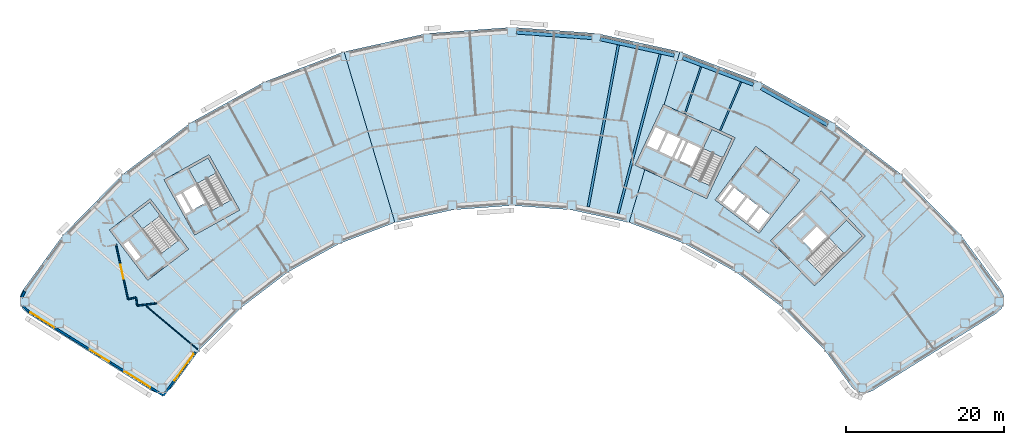
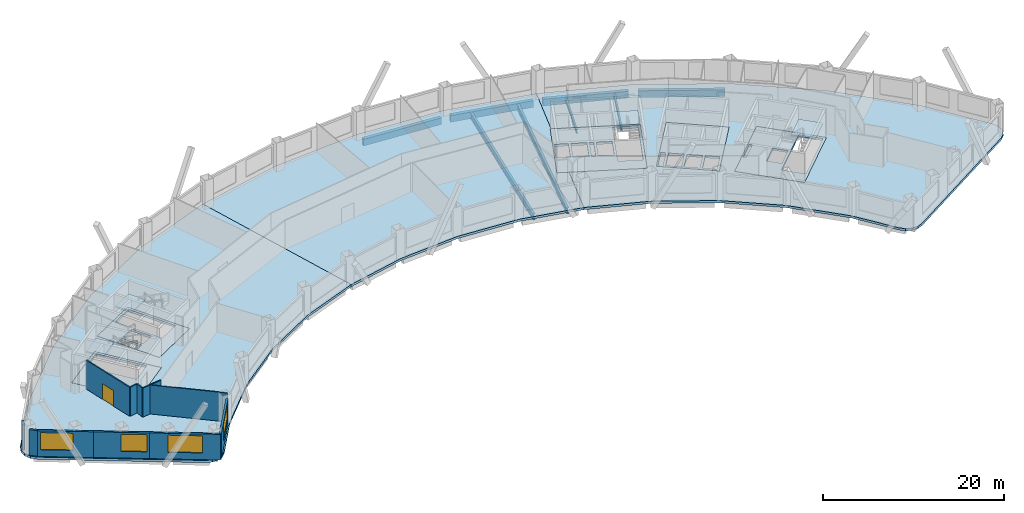
# One storey, part 2 of 11: 12 slabs, 11 walls, 8 beams, 4 windows, 1 door, 5 openings, 4 elements without a shape of their own.
"""IFC4 building model written with IfcOpenShell, lengths in metres."""

from ifc_helpers import new_model, si_unit, direction, frame, frame_2d, origin, origin_2d, place, context, subcontext, project, spatial, polyline, rectangle, hollow_rectangle, i_section, outline, extrude, material, layer, layer_set, material_profile, profile_set, type_object, element, fill, aggregate, save


model = new_model("IFC4")

# Units and contexts
model_context = context("Model", 3, precision=1e-05, world=origin(), true_north=direction((0.0, 1.0)))
body_context = subcontext(model_context, "Body", "Model", "MODEL_VIEW")
ifc_project = project(units=[si_unit("LENGTHUNIT", "METRE"), si_unit("AREAUNIT", "SQUARE_METRE"), si_unit("VOLUMEUNIT", "CUBIC_METRE"), si_unit("PLANEANGLEUNIT", "RADIAN"), si_unit("MASSUNIT", "GRAM", prefix="KILO")], contexts=[model_context])

# Site, building, storey
site_placement = place(None, origin())
site = spatial("IfcSite", under=ifc_project, at=site_placement, CompositionType="ELEMENT")
building_placement = place(site_placement, origin())
building = spatial("IfcBuilding", under=site, at=building_placement, Name="Tuul Gate Civic Tower", CompositionType="ELEMENT")
storey_placement = place(building_placement, frame((0.0, 0.0, 107.699951171875)))
storey = spatial("IfcBuildingStorey", under=building, at=storey_placement, Name="Level 24", CompositionType="ELEMENT", Elevation=107.699951171875)

# Beams
ifc_material_1 = material(Name="Steel S355", Category="steel")
ifc_material_profile_1 = material_profile(ifc_material_1, i_section(OverallWidth=0.199951171875, OverallDepth=0.5, WebThickness=0.010009765625, FlangeThickness=0.01611328125, at=origin_2d()), Name="PG500x200x10x16")
ifc_profile_set_1 = profile_set([ifc_material_profile_1], Name="Steel S355")
beam_type_1 = type_object("IfcBeamType", Name="STR-FLOOR BEAM-PG500x200x10x16", PredefinedType="BEAM", material=ifc_profile_set_1)
beam_1_placement = place(storey_placement, frame((36.169677734375, 1.197998046875, -0.550048828125), z_axis=(0.394200560457, 0.919024438269, 0.0), x_axis=(-0.919024438269, 0.394200560457, 0.0)))
element("IfcBeam", 1, at=beam_1_placement, inside=storey, type_object=beam_type_1, Name="Floor beam", PredefinedType="BEAM", context=body_context, shape_type="SweptSolid", body=[
    extrude(i_section(OverallWidth=0.199951171875, OverallDepth=0.5, WebThickness=0.010009765625, FlangeThickness=0.01611328125, at=origin_2d()), origin(), (0.0, 0.0, 1.0), 6.704345703125),
])
beam_2_placement = place(storey_placement, frame((31.6875, 3.2880859375, -0.550048828125), z_axis=(0.325502200931, 0.945541282647, 0.0), x_axis=(-0.945541282647, 0.325502200931, 0.0)))
element("IfcBeam", 2, at=beam_2_placement, inside=storey, type_object=beam_type_1, Name="Floor beam", PredefinedType="BEAM", context=body_context, shape_type="SweptSolid", body=[
    extrude(i_section(OverallWidth=0.199951171875, OverallDepth=0.5, WebThickness=0.010009765625, FlangeThickness=0.01611328125, at=origin_2d()), origin(), (0.0, 0.0, 1.0), 6.3310546875),
])
ifc_material_2 = material(Name="Steel S355", Category="steel")
ifc_material_profile_2 = material_profile(ifc_material_2, i_section(OverallWidth=0.300048828125, OverallDepth=0.800048828125, WebThickness=0.013916015625, FlangeThickness=0.02490234375, at=origin_2d()), Name="PG800x300x14x25")
ifc_profile_set_2 = profile_set([ifc_material_profile_2], Name="Steel S355")
beam_type_2 = type_object("IfcBeamType", Name="STR-FLOOR BEAM-PG800x300x14x25", PredefinedType="BEAM", material=ifc_profile_set_2)
beam_3_placement = place(storey_placement, frame((23.267578125, -9.2548828125, -0.699951171875), z_axis=(0.255007612054, 0.966939045542, 0.0), x_axis=(-0.966939045542, 0.255007612054, 0.0)))
element("IfcBeam", 3, at=beam_3_placement, inside=storey, type_object=beam_type_2, Name="Floor beam", PredefinedType="BEAM", context=body_context, shape_type="SweptSolid", body=[
    extrude(i_section(OverallWidth=0.300048828125, OverallDepth=0.800048828125, WebThickness=0.013916015625, FlangeThickness=0.02490234375, at=origin_2d()), origin(), (0.0, 0.0, 1.0), 20.8173828125),
])
beam_4_placement = place(storey_placement, frame((19.477294921875, -8.419677734375, -0.699951171875), z_axis=(0.183147342328, 0.98308547492, 0.0), x_axis=(-0.98308547492, 0.183147342328, 0.0)))
element("IfcBeam", 4, at=beam_4_placement, inside=storey, type_object=beam_type_2, Name="Floor beam", PredefinedType="BEAM", context=body_context, shape_type="SweptSolid", body=[
    extrude(i_section(OverallWidth=0.300048828125, OverallDepth=0.800048828125, WebThickness=0.013916015625, FlangeThickness=0.02490234375, at=origin_2d()), origin(), (0.0, 0.0, 1.0), 20.811279296875),
])
ifc_material_3 = material(Name="Steel S355", Category="steel")
ifc_material_profile_3 = material_profile(ifc_material_3, hollow_rectangle(XDim=0.449951171875, YDim=0.89990234375, WallThickness=0.02490234375, at=origin_2d()), Name="BOX900x450x25")
ifc_profile_set_3 = profile_set([ifc_material_profile_3], Name="Steel S355")
beam_type_3 = type_object("IfcBeamType", Name="STR-SPANDREL BEAM-BOX900x450x25", PredefinedType="BEAM", material=ifc_profile_set_3)
beam_5_placement = place(storey_placement, frame((49.75, 1.9306640625, -0.75), z_axis=(-0.874633056334, 0.484785536879, 0.0), x_axis=(-0.484785536879, -0.874633056334, 0.0)))
element("IfcBeam", 5, at=beam_5_placement, inside=storey, type_object=beam_type_3, Name="Spandrel beam", PredefinedType="BEAM", context=body_context, shape_type="SweptSolid", body=[
    extrude(hollow_rectangle(XDim=0.449951171875, YDim=0.89990234375, WallThickness=0.02490234375, at=origin_2d()), origin(), (0.0, 0.0, 1.0), 9.57666015625),
])
beam_6_placement = place(storey_placement, frame((40.378662109375, 7.034423828125, -0.75), z_axis=(-0.935356695064, 0.353705884879, 0.0), x_axis=(-0.353705884879, -0.935356695064, 0.0)))
element("IfcBeam", 6, at=beam_6_placement, inside=storey, type_object=beam_type_3, Name="Spandrel beam", PredefinedType="BEAM", context=body_context, shape_type="SweptSolid", body=[
    extrude(hollow_rectangle(XDim=0.449951171875, YDim=0.89990234375, WallThickness=0.02490234375, at=origin_2d()), origin(), (0.0, 0.0, 1.0), 9.578369140625),
])
beam_7_placement = place(storey_placement, frame((30.367919921875, 10.7353515625, -0.75), z_axis=(-0.976564052188, 0.215226977802, 0.0), x_axis=(-0.215226977802, -0.976564052188, 0.0)))
element("IfcBeam", 7, at=beam_7_placement, inside=storey, type_object=beam_type_3, Name="Spandrel beam", PredefinedType="BEAM", context=body_context, shape_type="SweptSolid", body=[
    extrude(hollow_rectangle(XDim=0.449951171875, YDim=0.89990234375, WallThickness=0.02490234375, at=origin_2d()), origin(), (0.0, 0.0, 1.0), 9.5771484375),
])
beam_8_placement = place(storey_placement, frame((19.929443359375, 12.954833984375, -0.75), z_axis=(-0.997390439125, 0.072196343002, 0.0), x_axis=(-0.072196343002, -0.997390439125, 0.0)))
element("IfcBeam", 8, at=beam_8_placement, inside=storey, type_object=beam_type_3, Name="Spandrel beam", PredefinedType="BEAM", context=body_context, shape_type="SweptSolid", body=[
    extrude(hollow_rectangle(XDim=0.449951171875, YDim=0.89990234375, WallThickness=0.02490234375, at=origin_2d()), origin(), (0.0, 0.0, 1.0), 9.57666015625),
])

# Slabs
ifc_material_4 = material(Name="Concrete C40/50", Category="concrete")
ifc_layer_1 = layer(ifc_material_4, 0.300048828125)
ifc_layer_set_1 = layer_set([ifc_layer_1], Name="Concrete C40/50")
slab_type_1 = type_object("IfcSlabType", Name="Core floor slab 300", PredefinedType="FLOOR", material=ifc_layer_set_1)
slab_1_placement = place(storey_placement, frame((0.0, 0.0, -0.300048828125)))
element("IfcSlab", 9, at=slab_1_placement, inside=storey, type_object=slab_type_1, Name="FLOOR SLAB", PredefinedType="FLOOR", context=body_context, shape_type="SweptSolid", body=[
    extrude(outline(polyline([(-31.10009765625, -13.7890625), (-35.946044921875, -7.423828125), (-41.11767578125, -11.361572265625), (-36.271484375, -17.726806640625), (-31.10009765625, -13.7890625)]), holes=[polyline([(-37.19287109375, -14.783203125), (-38.737548828125, -12.75439453125), (-39.45361328125, -13.299560546875), (-37.908935546875, -15.328369140625), (-37.19287109375, -14.783203125)]), polyline([(-32.33935546875, -12.65771484375), (-34.56591796875, -14.352783203125), (-38.229736328125, -9.54052734375), (-36.003173828125, -7.845458984375), (-32.33935546875, -12.65771484375)])]), origin(), (0.0, 0.0, 1.0), 0.300048828125),
])
slab_2_placement = place(storey_placement, frame((0.0, 0.0, -0.300048828125)))
element("IfcSlab", 10, at=slab_2_placement, inside=storey, type_object=slab_type_1, Name="FLOOR SLAB", PredefinedType="FLOOR", context=body_context, shape_type="SweptSolid", body=[
    extrude(outline(polyline([(-24.638916015625, -8.846923828125), (-28.51708984375, -1.849853515625), (-34.2021484375, -5.0009765625), (-30.32421875, -11.998046875), (-24.638916015625, -8.846923828125)]), holes=[polyline([(-29.0185546875, -7.958740234375), (-30.254638671875, -5.728515625), (-31.785400390625, -6.576904296875), (-30.54931640625, -8.80712890625), (-29.0185546875, -7.958740234375)]), polyline([(-30.8115234375, -8.95263671875), (-32.047607421875, -6.72216796875), (-32.8349609375, -7.158447265625), (-31.5986328125, -9.388916015625), (-30.8115234375, -8.95263671875)]), polyline([(-25.702392578125, -7.548828125), (-28.14990234375, -8.905517578125), (-31.08203125, -3.615234375), (-28.63427734375, -2.2587890625), (-25.702392578125, -7.548828125)])]), origin(), (0.0, 0.0, 1.0), 0.300048828125),
])
slab_3_placement = place(storey_placement, frame((0.0, 0.0, -0.300048828125)))
element("IfcSlab", 11, at=slab_3_placement, inside=storey, type_object=slab_type_1, Name="FLOOR SLAB", PredefinedType="FLOOR", context=body_context, shape_type="SweptSolid", body=[
    extrude(outline(polyline([(48.117919921875, -18.43310546875), (54.545166015625, -12.1328125), (48.945068359375, -6.419921875), (42.517822265625, -12.719970703125), (48.117919921875, -18.43310546875)]), holes=[polyline([(47.808837890625, -13.974853515625), (49.6298828125, -12.18994140625), (48.40478515625, -10.940185546875), (46.583984375, -12.72509765625), (47.808837890625, -13.974853515625)]), polyline([(44.93896484375, -11.046875), (46.760009765625, -9.261962890625), (46.514892578125, -9.011962890625), (44.69384765625, -10.797119140625), (44.93896484375, -11.046875)]), polyline([(49.086181640625, -17.062744140625), (47.12744140625, -15.064208984375), (52.160888671875, -10.130126953125), (54.11962890625, -12.128662109375), (49.086181640625, -17.062744140625)])]), origin(), (0.0, 0.0, 1.0), 0.300048828125),
])
slab_4_placement = place(storey_placement, frame((0.0, 0.0, -0.300048828125)))
element("IfcSlab", 12, at=slab_4_placement, inside=storey, type_object=slab_type_1, Name="FLOOR SLAB", PredefinedType="FLOOR", context=body_context, shape_type="SweptSolid", body=[
    extrude(outline(polyline([(34.465087890625, -7.385986328125), (38.056884765625, 0.31787109375), (28.993896484375, 4.543701171875), (25.40185546875, -3.159912109375), (34.465087890625, -7.385986328125)]), holes=[polyline([(32.60888671875, -3.32080078125), (33.6865234375, -1.009765625), (32.1005859375, -0.27001953125), (31.02294921875, -2.581298828125), (32.60888671875, -3.32080078125)]), polyline([(30.0712890625, -2.137451171875), (31.14892578125, 0.173583984375), (29.562744140625, 0.9130859375), (28.4853515625, -1.39794921875), (30.0712890625, -2.137451171875)]), polyline([(30.751220703125, -2.454345703125), (31.82861328125, -0.143310546875), (31.4208984375, 0.046875), (30.34326171875, -2.264404296875), (30.751220703125, -2.454345703125)]), polyline([(28.21337890625, -1.27099609375), (29.291015625, 1.0400390625), (27.8408203125, 1.71630859375), (26.76318359375, -0.594970703125), (28.21337890625, -1.27099609375)]), polyline([(34.889892578125, -5.7626953125), (32.353759765625, -4.580078125), (35.120849609375, 1.354736328125), (37.6572265625, 0.17236328125), (34.889892578125, -5.7626953125)])]), origin(), (0.0, 0.0, 1.0), 0.300048828125),
])
ifc_material_5 = material(Name="Concrete C40/50", Category="concrete")
ifc_layer_2 = layer(ifc_material_5, 0.300048828125)
ifc_layer_set_2 = layer_set([ifc_layer_2], Name="Concrete C40/50")
slab_type_2 = type_object("IfcSlabType", Name="Core floor slab 300 non-bearing", PredefinedType="FLOOR", material=ifc_layer_set_2)
slab_5_placement = place(storey_placement, frame((0.0, 0.0, -0.300048828125)))
element("IfcSlab", 13, at=slab_5_placement, inside=storey, type_object=slab_type_2, Name="FLOOR SLAB", PredefinedType="FLOOR", context=body_context, shape_type="SweptSolid", body=[
    extrude(outline(polyline([(41.10107421875, -11.797119140625), (46.25, -5.033935546875), (40.680908203125, -0.79296875), (35.531982421875, -7.555908203125), (41.10107421875, -11.797119140625)]), holes=[polyline([(41.044189453125, -11.37646484375), (42.497802734375, -9.467041015625), (41.22509765625, -8.49755859375), (39.77099609375, -10.4072265625), (41.044189453125, -11.37646484375)]), polyline([(39.532470703125, -10.225341796875), (40.986328125, -8.31591796875), (39.593994140625, -7.255615234375), (38.14013671875, -9.165283203125), (39.532470703125, -10.225341796875)]), polyline([(37.901611328125, -8.9833984375), (39.35546875, -7.073974609375), (37.963134765625, -6.013671875), (36.50927734375, -7.923095703125), (37.901611328125, -8.9833984375)]), polyline([(36.1796875, -7.860595703125), (37.724609375, -5.831787109375), (37.286865234375, -5.49853515625), (35.7421875, -7.527587890625), (36.1796875, -7.860595703125)])]), origin(), (0.0, 0.0, 1.0), 0.300048828125),
])

# Stair, slab
ifc_material_6 = material(Name="Concrete C40/50", Category="concrete")
stair_type = type_object("IfcStairType", Name="Exit stair", PredefinedType="HALF_TURN_STAIR", material=ifc_material_6)
stair_1_placement = place(storey_placement, origin())
stair_1 = element("IfcStair", 14, at=stair_1_placement, inside=storey, type_object=stair_type, Name="Level 24 ST-1", PredefinedType="HALF_TURN_STAIR")
ifc_material_7 = material(Name="Concrete C40/50", Category="concrete")
ifc_layer_3 = layer(ifc_material_7, 0.199951171875)
ifc_layer_set_3 = layer_set([ifc_layer_3], Name="Concrete C40/50")
slab_type_3 = type_object("IfcSlabType", Name="Exit stair landing", PredefinedType="LANDING", material=ifc_layer_set_3)
slab_6_placement = place(storey_placement, frame((0.0, 0.0, 1.900146484375)))
slab_6 = element("IfcSlab", 15, at=slab_6_placement, type_object=slab_type_3, Name="ST-1 landing 1", PredefinedType="LANDING", context=body_context, shape_type="SweptSolid", body=[
    extrude(outline(polyline([(-34.699462890625, -9.554931640625), (-36.9287109375, -11.252197265625), (-38.23193359375, -9.540283203125), (-36.0029296875, -7.843017578125), (-34.699462890625, -9.554931640625)])), origin(), (0.0, 0.0, 1.0), 0.199951171875),
])
aggregate(stair_1, [slab_6])

stair_2_placement = place(storey_placement, origin())
stair_2 = element("IfcStair", 16, at=stair_2_placement, inside=storey, type_object=stair_type, Name="Level 24 ST-2", PredefinedType="HALF_TURN_STAIR")
slab_7_placement = place(storey_placement, frame((0.0, 0.0, 1.900146484375)))
slab_7 = element("IfcSlab", 17, at=slab_7_placement, type_object=slab_type_3, Name="ST-2 landing 1", PredefinedType="LANDING", context=body_context, shape_type="SweptSolid", body=[
    extrude(outline(polyline([(-27.5908203125, -4.138427734375), (-30.041015625, -5.49658203125), (-31.084228515625, -3.61474609375), (-28.6337890625, -2.256591796875), (-27.5908203125, -4.138427734375)])), origin(), (0.0, 0.0, 1.0), 0.199951171875),
])
aggregate(stair_2, [slab_7])

stair_3_placement = place(storey_placement, origin())
stair_3 = element("IfcStair", 18, at=stair_3_placement, inside=storey, type_object=stair_type, Name="Level 24 ST-3", PredefinedType="HALF_TURN_STAIR")
slab_8_placement = place(storey_placement, frame((0.0, 0.0, 1.900146484375)))
slab_8 = element("IfcSlab", 19, at=slab_8_placement, type_object=slab_type_3, Name="ST-3 landing 1", PredefinedType="LANDING", context=body_context, shape_type="SweptSolid", body=[
    extrude(outline(polyline([(51.871337890625, -14.3349609375), (49.91015625, -12.334228515625), (52.160888671875, -10.1279296875), (54.1220703125, -12.128662109375), (51.871337890625, -14.3349609375)])), origin(), (0.0, 0.0, 1.0), 0.199951171875),
])
aggregate(stair_3, [slab_8])

stair_4_placement = place(storey_placement, origin())
stair_4 = element("IfcStair", 20, at=stair_4_placement, inside=storey, type_object=stair_type, Name="Level 24 ST-4", PredefinedType="HALF_TURN_STAIR")
slab_9_placement = place(storey_placement, frame((0.0, 0.0, 1.900146484375)))
slab_9 = element("IfcSlab", 21, at=slab_9_placement, type_object=slab_type_3, Name="ST-4 landing 1", PredefinedType="LANDING", context=body_context, shape_type="SweptSolid", body=[
    extrude(outline(polyline([(36.538818359375, -2.230224609375), (33.999755859375, -1.046142578125), (35.1201171875, 1.35693359375), (37.659423828125, 0.173095703125), (36.538818359375, -2.230224609375)])), origin(), (0.0, 0.0, 1.0), 0.199951171875),
])
aggregate(stair_4, [slab_9])

# Slabs
ifc_material_8 = material(Name="Concrete C35/45", Category="concrete")
ifc_layer_4 = layer(ifc_material_8, 0.300048828125)
ifc_layer_set_4 = layer_set([ifc_layer_4], Name="Concrete C35/45")
slab_type_4 = type_object("IfcSlabType", Name="STR-FLOOR-SLAB-300", PredefinedType="FLOOR", material=ifc_layer_set_4)
slab_10_placement = place(storey_placement, frame((0.0, 0.0, -0.300048828125)))
element("IfcSlab", 22, at=slab_10_placement, inside=storey, type_object=slab_type_4, Name="Level 24/slab/W", PredefinedType="FLOOR", context=body_context, shape_type="SweptSolid", body=[
    extrude(outline(polyline([(-12.0048828125, -13.0830078125), (-4.985107421875, -10.427978515625), (-11.4189453125, 11.194091796875), (-21.488037109375, 7.385986328125), (-30.902099609375, 2.1669921875), (-39.467041015625, -4.35302734375), (-47.001953125, -12.0400390625), (-52.0830078125, -18.9970703125), (-52.4189453125, -19.739990234375), (-52.430908203125, -20.555908203125), (-52.116943359375, -21.30810546875), (-51.527099609375, -21.8720703125), (-35.797119140625, -31.701904296875), (-35.10302734375, -31.971923828125), (-34.35791015625, -31.968994140625), (-33.666015625, -31.694091796875), (-33.1220703125, -31.18505859375), (-29.79296875, -26.626953125), (-24.5400390625, -21.26806640625), (-18.569091796875, -16.720947265625), (-12.0048828125, -13.0830078125)]), holes=[polyline([(-31.10009765625, -13.7890625), (-36.27197265625, -17.72705078125), (-41.117919921875, -11.362060546875), (-35.946044921875, -7.424072265625), (-31.10009765625, -13.7890625)]), polyline([(-24.638916015625, -8.846923828125), (-30.323974609375, -11.998046875), (-34.201904296875, -5.0009765625), (-28.51708984375, -1.85009765625), (-24.638916015625, -8.846923828125)])]), origin(), (0.0, 0.0, 1.0), 0.300048828125),
])
slab_11_placement = place(storey_placement, frame((0.0, 0.0, -0.300048828125)))
element("IfcSlab", 23, at=slab_11_placement, inside=storey, type_object=slab_type_4, Name="Level 24/slab/M", PredefinedType="FLOOR", context=body_context, shape_type="SweptSolid", body=[
    extrude(outline(polyline([(24.64306640625, -10.427978515625), (26.635009765625, -3.735107421875), (25.402099609375, -3.159912109375), (28.993896484375, 4.5439453125), (29.0859375, 4.5009765625), (31.076904296875, 11.194091796875), (20.56494140625, 13.510009765625), (9.8291015625, 14.2880859375), (-0.906982421875, 13.510009765625), (-11.4189453125, 11.194091796875), (-4.985107421875, -10.427978515625), (2.343994140625, -8.81298828125), (9.8291015625, -8.27099609375), (17.31396484375, -8.81298828125), (24.64306640625, -10.427978515625)])), origin(), (0.0, 0.0, 1.0), 0.300048828125),
])
slab_12_placement = place(storey_placement, frame((0.0, 0.0, -0.300048828125)))
element("IfcSlab", 24, at=slab_12_placement, inside=storey, type_object=slab_type_4, Name="Level 24/slab/E", PredefinedType="FLOOR", context=body_context, shape_type="SweptSolid", body=[
    extrude(outline(polyline([(54.760986328125, -31.971923828125), (55.455078125, -31.701904296875), (71.18505859375, -21.8720703125), (71.77392578125, -21.30810546875), (72.089111328125, -20.555908203125), (72.076904296875, -19.739990234375), (71.739990234375, -18.9970703125), (66.659912109375, -12.0400390625), (59.1240234375, -4.35302734375), (50.56005859375, 2.1669921875), (41.14501953125, 7.385986328125), (31.076904296875, 11.194091796875), (29.0859375, 4.5009765625), (38.056884765625, 0.318115234375), (34.465087890625, -7.385986328125), (26.635009765625, -3.735107421875), (24.64306640625, -10.427978515625), (31.6630859375, -13.0830078125), (38.22607421875, -16.720947265625), (44.197021484375, -21.26806640625), (49.450927734375, -26.626953125), (52.780029296875, -31.18505859375), (53.323974609375, -31.694091796875), (54.01611328125, -31.968994140625), (54.760986328125, -31.971923828125)]), holes=[polyline([(48.117919921875, -18.43310546875), (42.51806640625, -12.719970703125), (48.945068359375, -6.419921875), (54.544921875, -12.133056640625), (48.117919921875, -18.43310546875)]), polyline([(35.531982421875, -7.555908203125), (40.680908203125, -0.79296875), (46.25, -5.033935546875), (41.10107421875, -11.797119140625), (35.531982421875, -7.555908203125)])]), origin(), (0.0, 0.0, 1.0), 0.300048828125),
])

# Wall, opening, door
ifc_material_9 = material(Name="Gypsum board partition")
ifc_layer_5 = layer(ifc_material_9, 0.14990234375)
ifc_layer_set_5 = layer_set([ifc_layer_5], Name="Gypsum board partition")
wall_type_1 = type_object("IfcWallType", Name="Corridor wall P150", PredefinedType="PARTITIONING", material=ifc_layer_set_5)
wall_1_placement = place(storey_placement, frame((-40.279052734375, -13.201416015625, 0.0), z_axis=(0.0, 0.0, 1.0), x_axis=(0.214701443926, -0.976679727432, 0.0)))
wall_1 = element("IfcWall", 25, at=wall_1_placement, inside=storey, type_object=wall_type_1, Name="p044", PredefinedType="PARTITIONING", context=body_context, shape_type="SweptSolid", body=[
    extrude(rectangle(XDim=7.087646484375, YDim=0.14990234375, at=frame_2d((3.5439453125, 0.0))), origin(), (0.0, 0.0, 1.0), 3.900146484375),
])
opening_1_placement = place(wall_1_placement, frame((2.643798828125, 0.0, 0.0)))
opening_1 = element("IfcOpeningElement", 26, at=opening_1_placement, cuts=wall_1, Name="Opening H-D10", PredefinedType="OPENING", context=body_context, shape_type="SweptSolid", body=[
    extrude(rectangle(XDim=1.800048828125, YDim=2.10009765625, at=frame_2d((0.89990234375, 1.050048828125))), frame((0.0, 0.0849609375, 0.0), z_axis=(0.0, -1.0, 0.0), x_axis=(1.0, 0.0, 0.0)), (0.0, 0.0, 1.0), 0.169921875),
])
ifc_material_10 = material(Name="Timber door leaf, double", Category="wood")
door_type = type_object("IfcDoorType", Name="Door D18", OperationType="DOUBLE_DOOR_SINGLE_SWING", PredefinedType="DOOR", material=ifc_material_10)
door_placement = place(opening_1_placement, frame((1.800048828125, 0.0, 0.0), z_axis=(0.0, 0.0, 1.0), x_axis=(-1.0, 0.0, 0.0)))
door = element("IfcDoor", 27, at=door_placement, inside=storey, type_object=door_type, Name="Door H-D10", OperationType="DOUBLE_DOOR_SINGLE_SWING", OverallHeight=2.10009765625, OverallWidth=1.800048828125, PredefinedType="DOOR", context=body_context, shape_type="SweptSolid", body=[
    extrude(rectangle(XDim=1.800048828125, YDim=2.10009765625, at=frame_2d((0.900146484375, 1.050048828125))), frame((0.0, 0.02490234375, 0.0), z_axis=(0.0, -1.0, 0.0), x_axis=(1.0, 0.0, 0.0)), (0.0, 0.0, 1.0), 0.050048828125),
])
fill(opening_1, door)

# Walls
wall_2_placement = place(storey_placement, frame((-38.757080078125, -20.123779296875, 0.0), z_axis=(0.0, 0.0, 1.0), x_axis=(0.976654438629, 0.214816450735, 0.0)))
element("IfcWall", 28, at=wall_2_placement, inside=storey, type_object=wall_type_1, Name="p051", PredefinedType="PARTITIONING", context=body_context, shape_type="SweptSolid", body=[
    extrude(rectangle(XDim=1.02734375, YDim=0.14990234375, at=frame_2d((0.513671875, 0.0))), origin(), (0.0, 0.0, 1.0), 3.900146484375),
])
wall_3_placement = place(storey_placement, frame((-37.72900390625, -19.920654296875, 0.0), z_axis=(0.0, 0.0, 1.0), x_axis=(0.121168571495, -0.99263194452, 0.0)))
element("IfcWall", 29, at=wall_3_placement, inside=storey, type_object=wall_type_1, Name="p052", PredefinedType="PARTITIONING", context=body_context, shape_type="SweptSolid", body=[
    extrude(rectangle(XDim=1.027587890625, YDim=0.14990234375, at=frame_2d((0.513671875, 0.0))), origin(), (0.0, 0.0, 1.0), 3.900146484375),
])
wall_4_placement = place(storey_placement, frame((-37.6044921875, -20.940673828125, 0.0), z_axis=(0.0, 0.0, 1.0), x_axis=(0.992643003918, 0.121077936774, 0.0)))
element("IfcWall", 30, at=wall_4_placement, inside=storey, type_object=wall_type_1, Name="p053", PredefinedType="PARTITIONING", context=body_context, shape_type="SweptSolid", body=[
    extrude(rectangle(XDim=2.490234375, YDim=0.14990234375, at=frame_2d((1.2451171875, 0.0))), origin(), (0.0, 0.0, 1.0), 3.900146484375),
])
ifc_material_11 = material(Name="Precast concrete C40/50", Category="concrete")
ifc_layer_6 = layer(ifc_material_11, 0.25)
ifc_layer_set_6 = layer_set([ifc_layer_6], Name="Precast concrete C40/50")
wall_type_2 = type_object("IfcWallType", Name="External wall", PredefinedType="STANDARD", material=ifc_layer_set_6)
wall_5_placement = place(storey_placement, frame((-51.84814453125, -19.136474609375, 0.0), z_axis=(0.0, 0.0, 1.0), x_axis=(-0.411894351911, -0.911231607696, 0.0)))
element("IfcWall", 31, at=wall_5_placement, inside=storey, type_object=wall_type_2, Name="External wall", PredefinedType="STANDARD", context=body_context, shape_type="SweptSolid", body=[
    extrude(rectangle(XDim=0.829345703125, YDim=0.25, at=frame_2d((0.41455078125, 0.0))), origin(), (0.0, 0.0, 1.0), 3.449951171875),
])
wall_6_placement = place(storey_placement, frame((-52.053466796875, -20.991943359375, 0.0), z_axis=(0.0, 0.0, 1.0), x_axis=(0.722104872767, -0.691783602527, 0.0)))
element("IfcWall", 32, at=wall_6_placement, inside=storey, type_object=wall_type_2, Name="External wall", PredefinedType="STANDARD", context=body_context, shape_type="SweptSolid", body=[
    extrude(rectangle(XDim=0.958251953125, YDim=0.25, at=frame_2d((0.47900390625, 0.0))), origin(), (0.0, 0.0, 1.0), 3.449951171875),
])

# Wall, opening, window
wall_7_placement = place(storey_placement, frame((-51.3818359375, -21.638916015625, 0.0), z_axis=(0.0, 0.0, 1.0), x_axis=(0.848053758074, -0.529910203164, 0.0)))
wall_7 = element("IfcWall", 33, at=wall_7_placement, inside=storey, type_object=wall_type_2, Name="External wall", PredefinedType="STANDARD", context=body_context, shape_type="SweptSolid", body=[
    extrude(rectangle(XDim=6.182861328125, YDim=0.25, at=frame_2d((3.09130859375, 0.0))), origin(), (0.0, 0.0, 1.0), 3.449951171875),
])
opening_2_placement = place(wall_7_placement, frame((0.322998046875, 0.0, 0.89990234375)))
opening_2 = element("IfcOpeningElement", 34, at=opening_2_placement, cuts=wall_7, Name="Opening W112", PredefinedType="OPENING", context=body_context, shape_type="SweptSolid", body=[
    extrude(rectangle(XDim=3.550048828125, YDim=2.300048828125, at=frame_2d((1.77490234375, 1.14990234375))), frame((0.0, 0.135009765625, 0.0), z_axis=(0.0, -1.0, 0.0), x_axis=(1.0, 0.0, 0.0)), (0.0, 0.0, 1.0), 0.27001953125),
])
ifc_material_12 = material(Name="Glass", Category="glass")
window_type_1 = type_object("IfcWindowType", Name="Window W112 3550 x 2300", PartitioningType="SINGLE_PANEL", PredefinedType="WINDOW", material=ifc_material_12)
window_1_placement = place(opening_2_placement, origin())
window_1 = element("IfcWindow", 35, at=window_1_placement, inside=storey, type_object=window_type_1, Name="Window", OverallHeight=2.300048828125, OverallWidth=3.550048828125, PartitioningType="SINGLE_PANEL", PredefinedType="WINDOW", context=body_context, shape_type="SweptSolid", body=[
    extrude(rectangle(XDim=3.550048828125, YDim=2.300048828125, at=frame_2d((1.77490234375, 1.14990234375))), frame((0.0, 0.030029296875, 0.0), z_axis=(0.0, -1.0, 0.0), x_axis=(1.0, 0.0, 0.0)), (0.0, 0.0, 1.0), 0.06005859375),
])
fill(opening_2, window_1)

wall_8_placement = place(storey_placement, frame((-46.138427734375, -24.915283203125, 0.0), z_axis=(0.0, 0.0, 1.0), x_axis=(0.848053758074, -0.529910203164, 0.0)))
wall_8 = element("IfcWall", 36, at=wall_8_placement, inside=storey, type_object=wall_type_2, Name="External wall", PredefinedType="STANDARD", context=body_context, shape_type="SweptSolid", body=[
    extrude(rectangle(XDim=6.182861328125, YDim=0.25, at=frame_2d((3.09130859375, 0.0))), origin(), (0.0, 0.0, 1.0), 3.449951171875),
])
opening_3_placement = place(wall_8_placement, frame((3.006103515625, 0.0, 0.89990234375)))
opening_3 = element("IfcOpeningElement", 37, at=opening_3_placement, cuts=wall_8, Name="Opening W68", PredefinedType="OPENING", context=body_context, shape_type="SweptSolid", body=[
    extrude(rectangle(XDim=2.85009765625, YDim=2.300048828125, at=frame_2d((1.425048828125, 1.14990234375))), frame((0.0, 0.135009765625, 0.0), z_axis=(0.0, -1.0, 0.0), x_axis=(1.0, 0.0, 0.0)), (0.0, 0.0, 1.0), 0.27001953125),
])
ifc_material_13 = material(Name="Glass", Category="glass")
window_type_2 = type_object("IfcWindowType", Name="Window 2850 x 2300", PartitioningType="SINGLE_PANEL", PredefinedType="WINDOW", material=ifc_material_13)
window_2_placement = place(opening_3_placement, origin())
window_2 = element("IfcWindow", 38, at=window_2_placement, inside=storey, type_object=window_type_2, Name="Window", OverallHeight=2.300048828125, OverallWidth=2.85009765625, PartitioningType="SINGLE_PANEL", PredefinedType="WINDOW", context=body_context, shape_type="SweptSolid", body=[
    extrude(rectangle(XDim=2.85009765625, YDim=2.300048828125, at=frame_2d((1.425048828125, 1.14990234375))), frame((0.0, 0.030029296875, 0.0), z_axis=(0.0, -1.0, 0.0), x_axis=(1.0, 0.0, 0.0)), (0.0, 0.0, 1.0), 0.06005859375),
])
fill(opening_3, window_2)

wall_9_placement = place(storey_placement, frame((-40.89501953125, -28.191650390625, 0.0), z_axis=(0.0, 0.0, 1.0), x_axis=(0.848044094411, -0.529925668311, 0.0)))
wall_9 = element("IfcWall", 39, at=wall_9_placement, inside=storey, type_object=wall_type_2, Name="External wall", PredefinedType="STANDARD", context=body_context, shape_type="SweptSolid", body=[
    extrude(rectangle(XDim=7.787353515625, YDim=0.25, at=frame_2d((3.8935546875, 0.0))), origin(), (0.0, 0.0, 1.0), 3.449951171875),
])
opening_4_placement = place(wall_9_placement, frame((1.9951171875, 0.0, 0.89990234375)))
opening_4 = element("IfcOpeningElement", 40, at=opening_4_placement, cuts=wall_9, Name="Opening W22", PredefinedType="OPENING", context=body_context, shape_type="SweptSolid", body=[
    extrude(rectangle(XDim=3.85009765625, YDim=2.300048828125, at=frame_2d((1.925048828125, 1.14990234375))), frame((0.0, 0.135009765625, 0.0), z_axis=(0.0, -1.0, 0.0), x_axis=(1.0, 0.0, 0.0)), (0.0, 0.0, 1.0), 0.27001953125),
])
ifc_material_14 = material(Name="Glass", Category="glass")
window_type_3 = type_object("IfcWindowType", Name="Window W22 3850 x 2300", PartitioningType="SINGLE_PANEL", PredefinedType="WINDOW", material=ifc_material_14)
window_3_placement = place(opening_4_placement, origin())
window_3 = element("IfcWindow", 41, at=window_3_placement, inside=storey, type_object=window_type_3, Name="Window", OverallHeight=2.300048828125, OverallWidth=3.85009765625, PartitioningType="SINGLE_PANEL", PredefinedType="WINDOW", context=body_context, shape_type="SweptSolid", body=[
    extrude(rectangle(XDim=3.85009765625, YDim=2.300048828125, at=frame_2d((1.925048828125, 1.14990234375))), frame((0.0, 0.030029296875, 0.0), z_axis=(0.0, -1.0, 0.0), x_axis=(1.0, 0.0, 0.0)), (0.0, 0.0, 1.0), 0.06005859375),
])
fill(opening_4, window_3)

wall_10_placement = place(storey_placement, frame((-34.291015625, -32.318359375, 0.0), z_axis=(0.0, 0.0, 1.0), x_axis=(0.589868212008, 0.807499530936, 0.0)))
wall_10 = element("IfcWall", 42, at=wall_10_placement, inside=storey, type_object=wall_type_2, Name="External wall", PredefinedType="STANDARD", context=body_context, shape_type="SweptSolid", body=[
    extrude(rectangle(XDim=6.8486328125, YDim=0.25, at=frame_2d((3.42431640625, 0.0))), origin(), (0.0, 0.0, 1.0), 3.449951171875),
])
opening_5_placement = place(wall_10_placement, frame((2.356689453125, 0.0, 0.89990234375)))
opening_5 = element("IfcOpeningElement", 43, at=opening_5_placement, cuts=wall_10, Name="Opening W25", PredefinedType="OPENING", context=body_context, shape_type="SweptSolid", body=[
    extrude(rectangle(XDim=4.14990234375, YDim=2.300048828125, at=frame_2d((2.074951171875, 1.14990234375))), frame((0.0, 0.135009765625, 0.0), z_axis=(0.0, -1.0, 0.0), x_axis=(1.0, 0.0, 0.0)), (0.0, 0.0, 1.0), 0.27001953125),
])
ifc_material_15 = material(Name="Glass", Category="glass")
window_type_4 = type_object("IfcWindowType", Name="Window W25 4150 x 2300", PartitioningType="SINGLE_PANEL", PredefinedType="WINDOW", material=ifc_material_15)
window_4_placement = place(opening_5_placement, origin())
window_4 = element("IfcWindow", 44, at=window_4_placement, inside=storey, type_object=window_type_4, Name="Window", OverallHeight=2.300048828125, OverallWidth=4.14990234375, PartitioningType="SINGLE_PANEL", PredefinedType="WINDOW", context=body_context, shape_type="SweptSolid", body=[
    extrude(rectangle(XDim=4.14990234375, YDim=2.300048828125, at=frame_2d((2.074951171875, 1.14990234375))), frame((0.0, 0.030029296875, 0.0), z_axis=(0.0, -1.0, 0.0), x_axis=(1.0, 0.0, 0.0)), (0.0, 0.0, 1.0), 0.06005859375),
])
fill(opening_5, window_4)

# Wall
ifc_material_16 = material(Name="Gypsum board partition")
ifc_layer_7 = layer(ifc_material_16, 0.10009765625)
ifc_layer_set_7 = layer_set([ifc_layer_7], Name="Gypsum board partition")
wall_type_3 = type_object("IfcWallType", Name="Partition P100", PredefinedType="PARTITIONING", material=ifc_layer_set_7)
wall_11_placement = place(storey_placement, frame((-36.640625, -20.822998046875, 0.0), z_axis=(0.0, 0.0, 1.0), x_axis=(0.762822215441, -0.646608279895, 0.0)))
element("IfcWall", 45, at=wall_11_placement, inside=storey, type_object=wall_type_3, Name="p046", PredefinedType="PARTITIONING", context=body_context, shape_type="SweptSolid", body=[
    extrude(rectangle(XDim=8.70556640625, YDim=0.10009765625, at=frame_2d((4.352783203125, 0.0))), origin(), (0.0, 0.0, 1.0), 3.900146484375),
])

save(model, "model.ifc")
